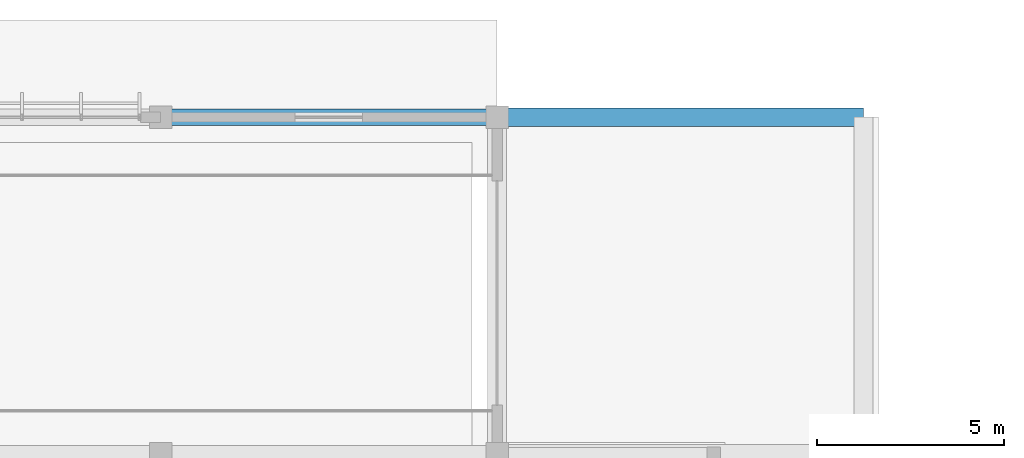
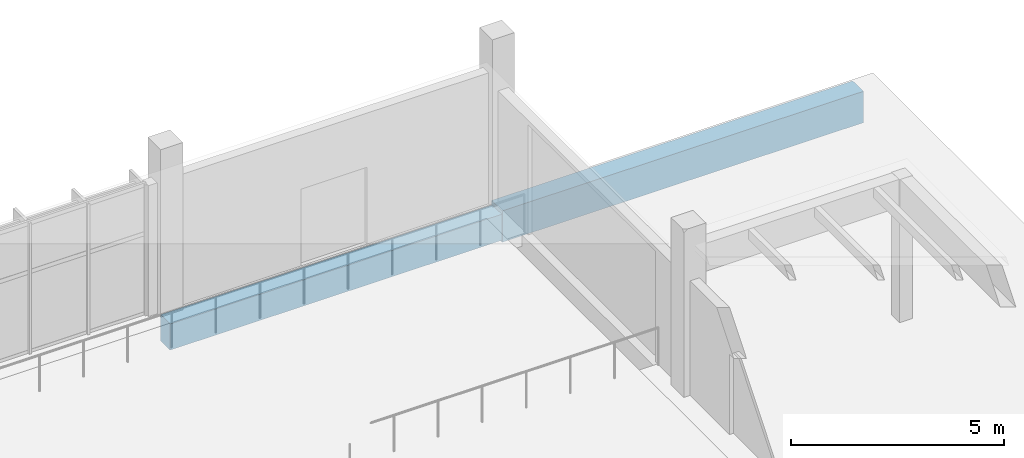
# One storey, part 105 of 151: 2 beams.
"""IFC4 building model written with IfcOpenShell, lengths in metres."""

import ifcopenshell
import ifcopenshell.guid

model = None  # the IFC model being written
_history = None  # IfcOwnerHistory: only IFC2X3 demands one
_inside = {}  # id of a spatial element -> (the spatial element, [elements in it])
_under = {}  # id of a project, library or spatial element -> (it, [spatial elements below it])
_declared = {}  # id of a project -> (the project, [libraries it declares])
_typed = {}  # id of a type object -> (the type object, [elements of that type])
_made_of = {}  # id of a material, layer set ... -> (it, [elements and type objects made of it])


def new_model(schema):
    """Start an empty IFC model of exactly this schema.

    Asked for "IFC4X3", IfcOpenShell would pick the latest addendum, in which some entities
    have other attributes; the version numbers below select the first issue.
    IFC2X3 requires an IfcOwnerHistory on every rooted entity: one is made here for all.
    """
    global model, _history
    if schema == "IFC4X3":
        model = ifcopenshell.file(schema_version=(4, 3, 0, 0))
    else:
        model = ifcopenshell.file(schema=schema)
    _inside.clear()
    _under.clear()
    _declared.clear()
    _typed.clear()
    _made_of.clear()
    _history = None
    if model.schema == "IFC2X3":
        org = make("IfcOrganization", Name="unknown")
        user = make(
            "IfcPersonAndOrganization",
            ThePerson=make("IfcPerson", FamilyName="unknown"),
            TheOrganization=org,
        )
        app = make(
            "IfcApplication",
            ApplicationDeveloper=org,
            Version="unknown",
            ApplicationFullName="unknown",
            ApplicationIdentifier="unknown",
        )
        _history = make(
            "IfcOwnerHistory",
            OwningUser=user,
            OwningApplication=app,
            ChangeAction="ADDED",
            CreationDate=0,
        )
    return model


def make(cls, **values):
    """One entity of the class cls with the attributes given. An attribute that is None is left unset."""
    return model.create_entity(
        cls, **{name: value for name, value in values.items() if value is not None}
    )


def rooted(cls, **values):
    """An entity with a GlobalId (a new one), such as an element, a storey or a relation."""
    return make(cls, GlobalId=ifcopenshell.guid.new(), OwnerHistory=_history, **values)


def si_unit(unit_type, name, prefix=None):
    """IfcSIUnit, for example si_unit("LENGTHUNIT", "METRE", prefix="MILLI")."""
    return make("IfcSIUnit", UnitType=unit_type, Prefix=prefix, Name=name)


def assignment(units):
    """IfcUnitAssignment: the units of a project."""
    return None if units is None else make("IfcUnitAssignment", Units=units)


def point(xyz):
    """IfcCartesianPoint."""
    return None if xyz is None else make("IfcCartesianPoint", Coordinates=xyz)


def direction(xyz):
    """IfcDirection."""
    return None if xyz is None else make("IfcDirection", DirectionRatios=xyz)


def frame(location, z_axis=None, x_axis=None):
    """IfcAxis2Placement3D, a coordinate frame: its origin and axes. An axis left out is left unset."""
    return make(
        "IfcAxis2Placement3D",
        Location=point(location),
        Axis=direction(z_axis),
        RefDirection=direction(x_axis),
    )


def frame_2d(location, x_axis=None):
    """IfcAxis2Placement2D, a coordinate frame in the plane: its origin and x axis."""
    return make(
        "IfcAxis2Placement2D", Location=point(location), RefDirection=direction(x_axis)
    )


def origin():
    """The frame at (0, 0, 0) with its axes left unset."""
    return frame((0.0, 0.0, 0.0))


def origin_2d():
    """The frame at (0, 0) in the plane with its x axis left unset."""
    return frame_2d((0.0, 0.0))


def place(relative_to, where):
    """IfcLocalPlacement: puts the frame where relative to a parent placement (None: the world)."""
    return make(
        "IfcLocalPlacement", PlacementRelTo=relative_to, RelativePlacement=where
    )


def context(
    kind, dimensions, precision=None, world=None, true_north=None, identifier=None
):
    """IfcGeometricRepresentationContext, for example the 3D "Model" context."""
    return make(
        "IfcGeometricRepresentationContext",
        ContextIdentifier=identifier,
        ContextType=kind,
        CoordinateSpaceDimension=dimensions,
        Precision=precision,
        WorldCoordinateSystem=world,
        TrueNorth=true_north,
    )


def subcontext(parent, identifier, kind, view, scale=None):
    """IfcGeometricRepresentationSubContext, for example "Body" below "Model"."""
    return make(
        "IfcGeometricRepresentationSubContext",
        ContextIdentifier=identifier,
        ContextType=kind,
        ParentContext=parent,
        TargetScale=scale,
        TargetView=view,
    )


def project(units=None, contexts=None):
    """IfcProject with its units and contexts."""
    return rooted(
        "IfcProject",
        Name="project",
        RepresentationContexts=contexts,
        UnitsInContext=assignment(units),
    )


def spatial(cls, under=None, at=None, **own):
    """A site, building, storey or space (cls), placed at a placement, below another one or the project."""
    s = rooted(cls, ObjectPlacement=at, **own)
    if under is not None:
        _under.setdefault(under.id(), (under, []))[1].append(s)
    return s


def profile(cls, at=None, kind="AREA", **sizes):
    """A parametric profile (cls). Its sizes go by their IFC names, for example OverallWidth=200.0."""
    return make(cls, ProfileType=kind, Position=at, **sizes)


def rectangle(**sizes):
    """IfcRectangleProfileDef."""
    return profile("IfcRectangleProfileDef", **sizes)


def extrude(swept, where, along, depth):
    """IfcExtrudedAreaSolid: the profile swept, set in the frame where, extruded along a direction by depth."""
    return make(
        "IfcExtrudedAreaSolid",
        SweptArea=swept,
        Position=where,
        ExtrudedDirection=direction(along),
        Depth=depth,
    )


def shape(context_of_items, identifier, shape_type, items):
    """IfcShapeRepresentation: the items that make up one representation, for example the "Body"."""
    return make(
        "IfcShapeRepresentation",
        ContextOfItems=context_of_items,
        RepresentationIdentifier=identifier,
        RepresentationType=shape_type,
        Items=items,
    )


def material(Name=None, Category=None):
    """IfcMaterial."""
    return make("IfcMaterial", Name=Name, Category=Category)


def material_profile(
    of_material, cross_section, Name=None, Category=None, Priority=None
):
    """IfcMaterialProfile: a cross section and its material."""
    return make(
        "IfcMaterialProfile",
        Name=Name,
        Material=of_material,
        Profile=cross_section,
        Priority=Priority,
        Category=Category,
    )


def profile_set(profiles, Name=None, composite=None):
    """IfcMaterialProfileSet."""
    return make(
        "IfcMaterialProfileSet",
        Name=Name,
        MaterialProfiles=profiles,
        CompositeProfile=composite,
    )


def made_of(thing, what):
    """Note that an element or type object is made of a material, layer set ...; save() writes the relation."""
    if what is not None:
        _made_of.setdefault(what.id(), (what, []))[1].append(thing)
    return thing


def type_object(cls, material=None, **own):
    """A type object (cls), such as IfcWallType, which elements share."""
    return made_of(rooted(cls, **own), material)


def element(
    cls,
    number,
    at=None,
    inside=None,
    cuts=None,
    type_object=None,
    material=None,
    context=None,
    identifier="Body",
    shape_type=None,
    held_by="IfcProductDefinitionShape",
    body=None,
    shapes=None,
    **own,
):
    """One element of the class cls, such as IfcWall. Its Tag is "e" and its number.

    at: its placement. inside: the storey or other place that contains it. cuts: it is an
    opening in that element (IfcRelVoidsElement). A single representation is given by context,
    identifier, shape_type and body (its items); several are given by shapes. held_by: the class
    of the entity that holds the representations. save() writes the other relations.
    """
    e = rooted(cls, Tag="e%d" % number, ObjectPlacement=at, **own)
    if body is not None:
        shapes = [shape(context, identifier, shape_type, body)]
    if shapes is not None:
        e.Representation = make(held_by, Representations=shapes)
    if inside is not None:
        _inside.setdefault(inside.id(), (inside, []))[1].append(e)
    if cuts is not None:
        rooted(
            "IfcRelVoidsElement", RelatingBuildingElement=cuts, RelatedOpeningElement=e
        )
    if type_object is not None:
        _typed.setdefault(type_object.id(), (type_object, []))[1].append(e)
    return made_of(e, material)


def aggregate(whole, parts):
    """IfcRelAggregates: a whole, such as a stair, and the parts it consists of."""
    return rooted("IfcRelAggregates", RelatingObject=whole, RelatedObjects=parts)


def save(model, path):
    """Write the relations noted so far, then the file.

    IfcRelAggregates (storeys below a building ...), IfcRelContainedInSpatialStructure (elements
    in a storey), IfcRelDefinesByType, IfcRelAssociatesMaterial and IfcRelDeclares: one each for
    every whole, place, type object, material and project.
    """
    for whole, parts in _under.values():
        aggregate(whole, parts)
    for where, things in _inside.values():
        rooted(
            "IfcRelContainedInSpatialStructure",
            RelatedElements=things,
            RelatingStructure=where,
        )
    for kind, things in _typed.values():
        rooted("IfcRelDefinesByType", RelatedObjects=things, RelatingType=kind)
    for what, things in _made_of.values():
        rooted("IfcRelAssociatesMaterial", RelatedObjects=things, RelatingMaterial=what)
    for by, libraries in _declared.values():
        rooted("IfcRelDeclares", RelatingContext=by, RelatedDefinitions=libraries)
    model.write(path)


model = new_model("IFC4")

# Units and contexts
model_context = context("Model", 3, precision=1e-05, world=origin(), true_north=direction((0.0, 1.0)))
body_context = subcontext(model_context, "Body", "Model", "MODEL_VIEW")
ifc_project = project(units=[si_unit("LENGTHUNIT", "METRE"), si_unit("AREAUNIT", "SQUARE_METRE"), si_unit("VOLUMEUNIT", "CUBIC_METRE"), si_unit("PLANEANGLEUNIT", "RADIAN"), si_unit("MASSUNIT", "GRAM", prefix="KILO")], contexts=[model_context])

# Site, building, storey
site_placement = place(None, origin())
site = spatial("IfcSite", under=ifc_project, at=site_placement, CompositionType="ELEMENT")
building_placement = place(site_placement, origin())
building = spatial("IfcBuilding", under=site, at=building_placement, Name="Chiffa Square Polytechnic", CompositionType="ELEMENT")
storey_placement = place(building_placement, origin())
storey = spatial("IfcBuildingStorey", under=building, at=storey_placement, Name="L00", CompositionType="ELEMENT", Elevation=0.0)

# Beams
ifc_material = material(Name="Concrete C35/45", Category="concrete")
ifc_material_profile_1 = material_profile(ifc_material, rectangle(XDim=0.449951171875, YDim=0.75, at=origin_2d()), Name="RC 450x750")
ifc_profile_set_1 = profile_set([ifc_material_profile_1], Name="Concrete C35/45")
beam_type_1 = type_object("IfcBeamType", Name="BM-RC-450X750", PredefinedType="BEAM", material=ifc_profile_set_1)
beam_1_placement = place(storey_placement, frame((139.199951171875, 130.800048828125, -0.72509765625), z_axis=(1.0, 0.0, 0.0), x_axis=(0.0, 1.0, 0.0)))
element("IfcBeam", 1, at=beam_1_placement, inside=storey, type_object=beam_type_1, Name="Primary floor girder BM-V5-L00-X-1392-1308", PredefinedType="BEAM", context=body_context, shape_type="SweptSolid", body=[
    extrude(rectangle(XDim=0.449951171875, YDim=0.75, at=origin_2d()), origin(), (0.0, 0.0, 1.0), 9.0),
])
ifc_material_profile_2 = material_profile(ifc_material, rectangle(XDim=0.5, YDim=0.89990234375, at=origin_2d()), Name="RC 500x900")
ifc_profile_set_2 = profile_set([ifc_material_profile_2], Name="Concrete C35/45")
beam_type_2 = type_object("IfcBeamType", Name="GB-RC-500X900", PredefinedType="BEAM", material=ifc_profile_set_2)
beam_2_placement = place(storey_placement, frame((148.199951171875, 130.800048828125, -0.68994140625), z_axis=(1.0, 0.0, 0.0), x_axis=(0.0, 1.0, 0.0)))
element("IfcBeam", 2, at=beam_2_placement, inside=storey, type_object=beam_type_2, Name="Ramp apron tie beam GB-RMPAPR-TIE-05", PredefinedType="BEAM", context=body_context, shape_type="SweptSolid", body=[
    extrude(rectangle(XDim=0.5, YDim=0.89990234375, at=origin_2d()), origin(), (0.0, 0.0, 1.0), 9.800048828125),
])

save(model, "model.ifc")
